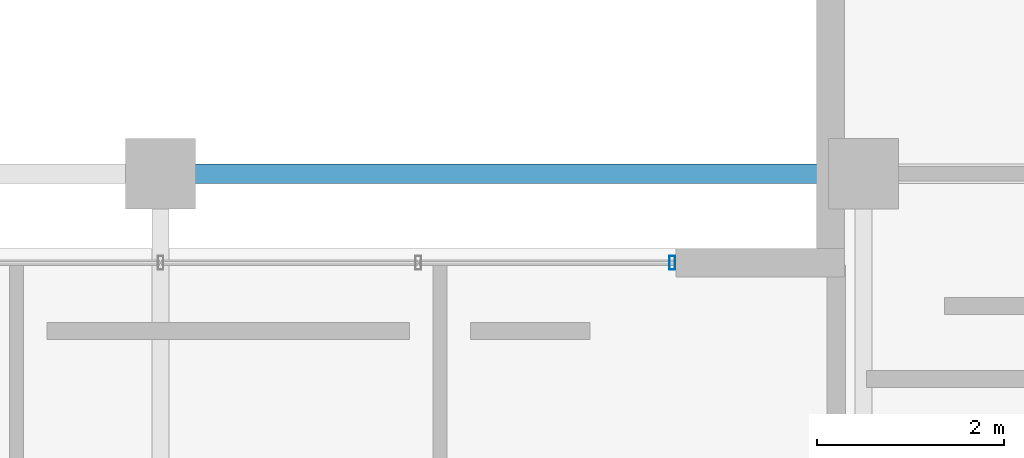
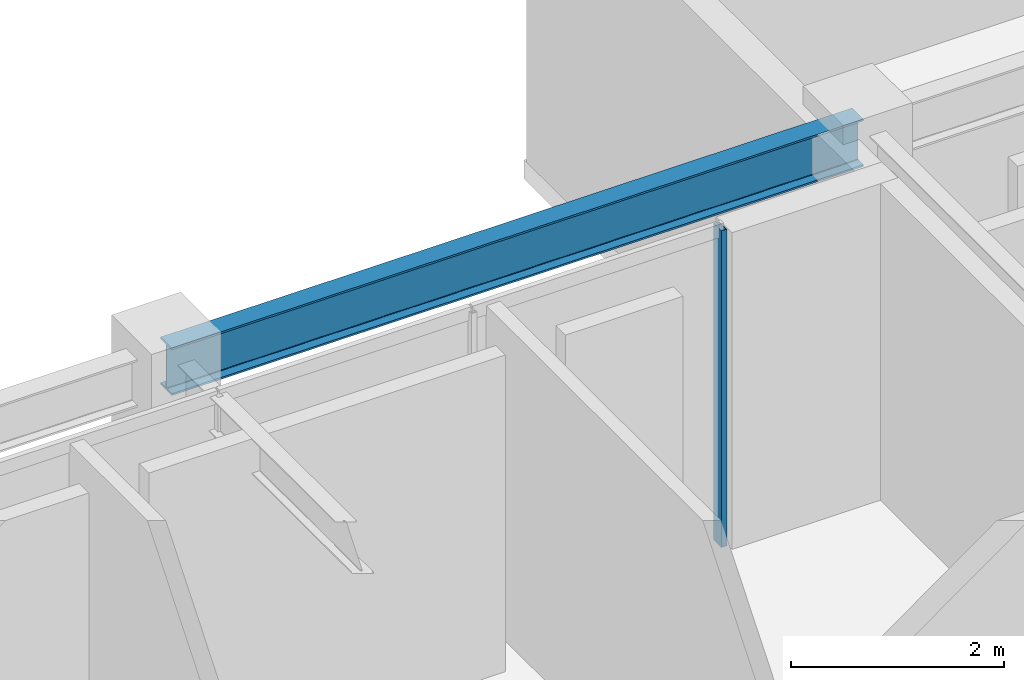
# One storey, part 3 of 10: 1 beam, 1 member, 1 element without a shape of its own.
"""IFC4 building model written with IfcOpenShell, lengths in metres."""

from ifc_helpers import new_model, si_unit, direction, frame, origin, origin_2d, place, context, subcontext, project, spatial, hollow_rectangle, i_section, extrude, material, material_profile, profile_set, type_object, element, aggregate, save


model = new_model("IFC4")

# Units and contexts
model_context = context("Model", 3, precision=1e-05, world=origin(), true_north=direction((0.0, 1.0)))
body_context = subcontext(model_context, "Body", "Model", "MODEL_VIEW")
ifc_project = project(units=[si_unit("LENGTHUNIT", "METRE"), si_unit("AREAUNIT", "SQUARE_METRE"), si_unit("VOLUMEUNIT", "CUBIC_METRE"), si_unit("PLANEANGLEUNIT", "RADIAN"), si_unit("MASSUNIT", "GRAM", prefix="KILO")], contexts=[model_context])

# Site, building, storey
site_placement = place(None, origin())
site = spatial("IfcSite", under=ifc_project, at=site_placement, CompositionType="ELEMENT")
building_placement = place(site_placement, origin())
building = spatial("IfcBuilding", under=site, at=building_placement, Name="Ventersveld Concourse Tower", CompositionType="ELEMENT")
storey_placement = place(building_placement, frame((0.0, 0.0, 208.0)))
storey = spatial("IfcBuildingStorey", under=building, at=storey_placement, Name="L51", CompositionType="ELEMENT", Elevation=208.0)

# Curtain wall, member
ifc_material_1 = material(Name="Anodised aluminium EN AW-6063-T6", Category="aluminium")
curtain_wall_type = type_object("IfcCurtainWallType", Name="CW-SG-4", PredefinedType="NOTDEFINED", material=ifc_material_1)
curtain_wall_placement = place(storey_placement, origin())
curtain_wall = element("IfcCurtainWall", 1, at=curtain_wall_placement, inside=storey, type_object=curtain_wall_type, Name="L51 L51 Sky Garden Recessed Curtain Wall", PredefinedType="NOTDEFINED")
ifc_material_profile_1 = material_profile(ifc_material_1, hollow_rectangle(XDim=0.06005859375, YDim=0.14990234375, WallThickness=0.00390625, at=origin_2d()), Name="ALU 150x60x4")
ifc_profile_set_1 = profile_set([ifc_material_profile_1], Name="Anodised aluminium EN AW-6063-T6")
member_type = type_object("IfcMemberType", Name="CWM-150x65", PredefinedType="MULLION", material=ifc_profile_set_1)
member_placement = place(storey_placement, frame((34.2099609375, 34.050048828125, 0.0), z_axis=(0.0, 0.0, 1.0), x_axis=(1.0, 0.0, 0.0)))
member = element("IfcMember", 2, at=member_placement, type_object=member_type, Name="CW-L51-SG Mullion 05", PredefinedType="MULLION", context=body_context, shape_type="SweptSolid", body=[
    extrude(hollow_rectangle(XDim=0.06005859375, YDim=0.14990234375, WallThickness=0.00390625, at=origin_2d()), origin(), (0.0, 0.0, 1.0), 3.6298828125),
])
aggregate(curtain_wall, [member])

# Beam
ifc_material_2 = material(Name="Structural steel S355J2", Category="steel")
ifc_material_profile_2 = material_profile(ifc_material_2, i_section(OverallWidth=0.2119140625, OverallDepth=0.54443359375, WebThickness=0.0126953125, FlangeThickness=0.021240234375, FilletRadius=0.0126953125, at=origin_2d()), Name="UB 533x210x122")
ifc_profile_set_2 = profile_set([ifc_material_profile_2], Name="Structural steel S355J2")
beam_type = type_object("IfcBeamType", Name="GRD-UB533H", PredefinedType="T_BEAM", material=ifc_profile_set_2)
beam_placement = place(storey_placement, frame((28.75, 35.0, 3.357666015625), z_axis=(1.0, 0.0, 0.0), x_axis=(0.0, 1.0, 0.0)))
element("IfcBeam", 3, at=beam_placement, inside=storey, type_object=beam_type, Name="L51 E-W Grid Girder Y=35.00 #4", PredefinedType="T_BEAM", context=body_context, shape_type="SweptSolid", body=[
    extrude(i_section(OverallWidth=0.2119140625, OverallDepth=0.54443359375, WebThickness=0.0126953125, FlangeThickness=0.021240234375, FilletRadius=0.0126953125, at=origin_2d()), origin(), (0.0, 0.0, 1.0), 7.5),
])

save(model, "model.ifc")
